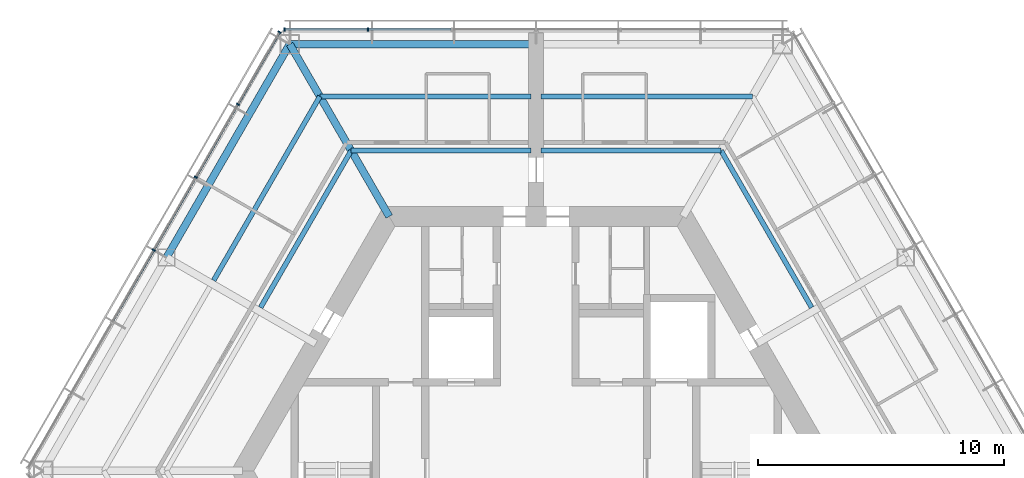
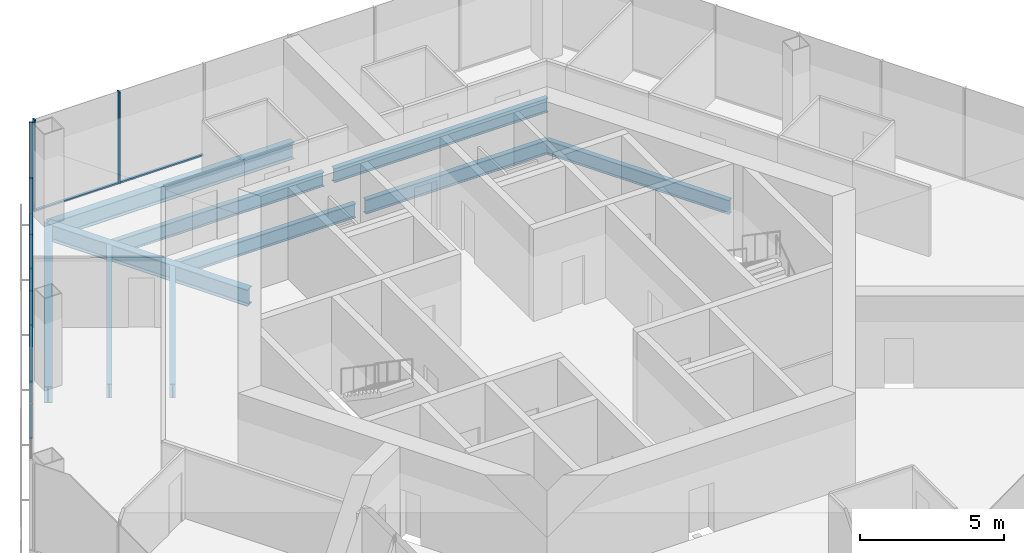
# One storey, part 6 of 15: 12 members, 10 beams, 2 elements without a shape of their own.
"""IFC4 building model written with IfcOpenShell, lengths in metres."""

import ifcopenshell
import ifcopenshell.guid

model = None  # the IFC model being written
_history = None  # IfcOwnerHistory: only IFC2X3 demands one
_inside = {}  # id of a spatial element -> (the spatial element, [elements in it])
_under = {}  # id of a project, library or spatial element -> (it, [spatial elements below it])
_declared = {}  # id of a project -> (the project, [libraries it declares])
_typed = {}  # id of a type object -> (the type object, [elements of that type])
_made_of = {}  # id of a material, layer set ... -> (it, [elements and type objects made of it])


def new_model(schema):
    """Start an empty IFC model of exactly this schema.

    Asked for "IFC4X3", IfcOpenShell would pick the latest addendum, in which some entities
    have other attributes; the version numbers below select the first issue.
    IFC2X3 requires an IfcOwnerHistory on every rooted entity: one is made here for all.
    """
    global model, _history
    if schema == "IFC4X3":
        model = ifcopenshell.file(schema_version=(4, 3, 0, 0))
    else:
        model = ifcopenshell.file(schema=schema)
    _inside.clear()
    _under.clear()
    _declared.clear()
    _typed.clear()
    _made_of.clear()
    _history = None
    if model.schema == "IFC2X3":
        org = make("IfcOrganization", Name="unknown")
        user = make(
            "IfcPersonAndOrganization",
            ThePerson=make("IfcPerson", FamilyName="unknown"),
            TheOrganization=org,
        )
        app = make(
            "IfcApplication",
            ApplicationDeveloper=org,
            Version="unknown",
            ApplicationFullName="unknown",
            ApplicationIdentifier="unknown",
        )
        _history = make(
            "IfcOwnerHistory",
            OwningUser=user,
            OwningApplication=app,
            ChangeAction="ADDED",
            CreationDate=0,
        )
    return model


def make(cls, **values):
    """One entity of the class cls with the attributes given. An attribute that is None is left unset."""
    return model.create_entity(
        cls, **{name: value for name, value in values.items() if value is not None}
    )


def rooted(cls, **values):
    """An entity with a GlobalId (a new one), such as an element, a storey or a relation."""
    return make(cls, GlobalId=ifcopenshell.guid.new(), OwnerHistory=_history, **values)


def si_unit(unit_type, name, prefix=None):
    """IfcSIUnit, for example si_unit("LENGTHUNIT", "METRE", prefix="MILLI")."""
    return make("IfcSIUnit", UnitType=unit_type, Prefix=prefix, Name=name)


def assignment(units):
    """IfcUnitAssignment: the units of a project."""
    return None if units is None else make("IfcUnitAssignment", Units=units)


def point(xyz):
    """IfcCartesianPoint."""
    return None if xyz is None else make("IfcCartesianPoint", Coordinates=xyz)


def direction(xyz):
    """IfcDirection."""
    return None if xyz is None else make("IfcDirection", DirectionRatios=xyz)


def frame(location, z_axis=None, x_axis=None):
    """IfcAxis2Placement3D, a coordinate frame: its origin and axes. An axis left out is left unset."""
    return make(
        "IfcAxis2Placement3D",
        Location=point(location),
        Axis=direction(z_axis),
        RefDirection=direction(x_axis),
    )


def frame_2d(location, x_axis=None):
    """IfcAxis2Placement2D, a coordinate frame in the plane: its origin and x axis."""
    return make(
        "IfcAxis2Placement2D", Location=point(location), RefDirection=direction(x_axis)
    )


def origin():
    """The frame at (0, 0, 0) with its axes left unset."""
    return frame((0.0, 0.0, 0.0))


def origin_2d():
    """The frame at (0, 0) in the plane with its x axis left unset."""
    return frame_2d((0.0, 0.0))


def place(relative_to, where):
    """IfcLocalPlacement: puts the frame where relative to a parent placement (None: the world)."""
    return make(
        "IfcLocalPlacement", PlacementRelTo=relative_to, RelativePlacement=where
    )


def context(
    kind, dimensions, precision=None, world=None, true_north=None, identifier=None
):
    """IfcGeometricRepresentationContext, for example the 3D "Model" context."""
    return make(
        "IfcGeometricRepresentationContext",
        ContextIdentifier=identifier,
        ContextType=kind,
        CoordinateSpaceDimension=dimensions,
        Precision=precision,
        WorldCoordinateSystem=world,
        TrueNorth=true_north,
    )


def subcontext(parent, identifier, kind, view, scale=None):
    """IfcGeometricRepresentationSubContext, for example "Body" below "Model"."""
    return make(
        "IfcGeometricRepresentationSubContext",
        ContextIdentifier=identifier,
        ContextType=kind,
        ParentContext=parent,
        TargetScale=scale,
        TargetView=view,
    )


def project(units=None, contexts=None):
    """IfcProject with its units and contexts."""
    return rooted(
        "IfcProject",
        Name="project",
        RepresentationContexts=contexts,
        UnitsInContext=assignment(units),
    )


def spatial(cls, under=None, at=None, **own):
    """A site, building, storey or space (cls), placed at a placement, below another one or the project."""
    s = rooted(cls, ObjectPlacement=at, **own)
    if under is not None:
        _under.setdefault(under.id(), (under, []))[1].append(s)
    return s


def profile(cls, at=None, kind="AREA", **sizes):
    """A parametric profile (cls). Its sizes go by their IFC names, for example OverallWidth=200.0."""
    return make(cls, ProfileType=kind, Position=at, **sizes)


def rectangle(**sizes):
    """IfcRectangleProfileDef."""
    return profile("IfcRectangleProfileDef", **sizes)


def i_section(**sizes):
    """IfcIShapeProfileDef."""
    return profile("IfcIShapeProfileDef", **sizes)


def extrude(swept, where, along, depth):
    """IfcExtrudedAreaSolid: the profile swept, set in the frame where, extruded along a direction by depth."""
    return make(
        "IfcExtrudedAreaSolid",
        SweptArea=swept,
        Position=where,
        ExtrudedDirection=direction(along),
        Depth=depth,
    )


def shape(context_of_items, identifier, shape_type, items):
    """IfcShapeRepresentation: the items that make up one representation, for example the "Body"."""
    return make(
        "IfcShapeRepresentation",
        ContextOfItems=context_of_items,
        RepresentationIdentifier=identifier,
        RepresentationType=shape_type,
        Items=items,
    )


def material(Name=None, Category=None):
    """IfcMaterial."""
    return make("IfcMaterial", Name=Name, Category=Category)


def material_profile(
    of_material, cross_section, Name=None, Category=None, Priority=None
):
    """IfcMaterialProfile: a cross section and its material."""
    return make(
        "IfcMaterialProfile",
        Name=Name,
        Material=of_material,
        Profile=cross_section,
        Priority=Priority,
        Category=Category,
    )


def profile_set(profiles, Name=None, composite=None):
    """IfcMaterialProfileSet."""
    return make(
        "IfcMaterialProfileSet",
        Name=Name,
        MaterialProfiles=profiles,
        CompositeProfile=composite,
    )


def made_of(thing, what):
    """Note that an element or type object is made of a material, layer set ...; save() writes the relation."""
    if what is not None:
        _made_of.setdefault(what.id(), (what, []))[1].append(thing)
    return thing


def type_object(cls, material=None, **own):
    """A type object (cls), such as IfcWallType, which elements share."""
    return made_of(rooted(cls, **own), material)


def element(
    cls,
    number,
    at=None,
    inside=None,
    cuts=None,
    type_object=None,
    material=None,
    context=None,
    identifier="Body",
    shape_type=None,
    held_by="IfcProductDefinitionShape",
    body=None,
    shapes=None,
    **own,
):
    """One element of the class cls, such as IfcWall. Its Tag is "e" and its number.

    at: its placement. inside: the storey or other place that contains it. cuts: it is an
    opening in that element (IfcRelVoidsElement). A single representation is given by context,
    identifier, shape_type and body (its items); several are given by shapes. held_by: the class
    of the entity that holds the representations. save() writes the other relations.
    """
    e = rooted(cls, Tag="e%d" % number, ObjectPlacement=at, **own)
    if body is not None:
        shapes = [shape(context, identifier, shape_type, body)]
    if shapes is not None:
        e.Representation = make(held_by, Representations=shapes)
    if inside is not None:
        _inside.setdefault(inside.id(), (inside, []))[1].append(e)
    if cuts is not None:
        rooted(
            "IfcRelVoidsElement", RelatingBuildingElement=cuts, RelatedOpeningElement=e
        )
    if type_object is not None:
        _typed.setdefault(type_object.id(), (type_object, []))[1].append(e)
    return made_of(e, material)


def aggregate(whole, parts):
    """IfcRelAggregates: a whole, such as a stair, and the parts it consists of."""
    return rooted("IfcRelAggregates", RelatingObject=whole, RelatedObjects=parts)


def save(model, path):
    """Write the relations noted so far, then the file.

    IfcRelAggregates (storeys below a building ...), IfcRelContainedInSpatialStructure (elements
    in a storey), IfcRelDefinesByType, IfcRelAssociatesMaterial and IfcRelDeclares: one each for
    every whole, place, type object, material and project.
    """
    for whole, parts in _under.values():
        aggregate(whole, parts)
    for where, things in _inside.values():
        rooted(
            "IfcRelContainedInSpatialStructure",
            RelatedElements=things,
            RelatingStructure=where,
        )
    for kind, things in _typed.values():
        rooted("IfcRelDefinesByType", RelatedObjects=things, RelatingType=kind)
    for what, things in _made_of.values():
        rooted("IfcRelAssociatesMaterial", RelatedObjects=things, RelatingMaterial=what)
    for by, libraries in _declared.values():
        rooted("IfcRelDeclares", RelatingContext=by, RelatedDefinitions=libraries)
    model.write(path)


model = new_model("IFC4")

# Units and contexts
model_context = context("Model", 3, precision=1e-05, world=origin(), true_north=direction((0.0, 1.0)))
body_context = subcontext(model_context, "Body", "Model", "MODEL_VIEW")
ifc_project = project(units=[si_unit("LENGTHUNIT", "METRE"), si_unit("AREAUNIT", "SQUARE_METRE"), si_unit("VOLUMEUNIT", "CUBIC_METRE"), si_unit("PLANEANGLEUNIT", "RADIAN"), si_unit("MASSUNIT", "GRAM", prefix="KILO")], contexts=[model_context])

# Site, building, storey
site_placement = place(None, origin())
site = spatial("IfcSite", under=ifc_project, at=site_placement, CompositionType="ELEMENT")
building_placement = place(site_placement, origin())
building = spatial("IfcBuilding", under=site, at=building_placement, Name="Kasaneha Research Tower", CompositionType="ELEMENT")
storey_placement = place(building_placement, frame((0.0, 0.0, 240.10009765625)))
storey = spatial("IfcBuildingStorey", under=building, at=storey_placement, Name="L60", CompositionType="ELEMENT", Elevation=240.10009765625)

# Beams
ifc_material_1 = material(Name="Steel SN490B", Category="steel")
ifc_material_profile_1 = material_profile(ifc_material_1, i_section(OverallWidth=0.199951171875, OverallDepth=0.60009765625, WebThickness=0.010986328125, FlangeThickness=0.01708984375, FilletRadius=0.012939453125, at=origin_2d()), Name="H-600x200x11x17")
ifc_profile_set_1 = profile_set([ifc_material_profile_1], Name="Steel SN490B")
beam_type_1 = type_object("IfcBeamType", Name="B1-3 secondary beam H-600x200x11x17", PredefinedType="JOIST", material=ifc_profile_set_1)
beam_1_placement = place(storey_placement, frame((7.505615234375, 13.0, -0.4501953125), z_axis=(0.499994443168, -0.866028611999, 0.0), x_axis=(0.866028611999, 0.499994443168, 0.0)))
element("IfcBeam", 1, at=beam_1_placement, inside=storey, type_object=beam_type_1, Name="Secondary beam RS030R1 L60", PredefinedType="JOIST", context=body_context, shape_type="SweptSolid", body=[
    extrude(i_section(OverallWidth=0.199951171875, OverallDepth=0.60009765625, WebThickness=0.010986328125, FlangeThickness=0.01708984375, FilletRadius=0.012939453125, at=origin_2d()), origin(), (0.0, 0.0, 1.0), 7.35546875),
])
beam_2_placement = place(storey_placement, frame((7.505615234375, 13.0, -0.4501953125), z_axis=(-1.0, 0.0, 0.0), x_axis=(0.0, -1.0, 0.0)))
element("IfcBeam", 2, at=beam_2_placement, inside=storey, type_object=beam_type_1, Name="Secondary beam RS090L1 L60", PredefinedType="JOIST", context=body_context, shape_type="SweptSolid", body=[
    extrude(i_section(OverallWidth=0.199951171875, OverallDepth=0.60009765625, WebThickness=0.010986328125, FlangeThickness=0.01708984375, FilletRadius=0.012939453125, at=origin_2d()), origin(), (0.0, 0.0, 1.0), 7.3056640625),
])
beam_3_placement = place(storey_placement, frame((8.775634765625, 15.199951171875, -0.4501953125), z_axis=(-1.0, 0.0, 0.0), x_axis=(0.0, -1.0, 0.0)))
element("IfcBeam", 3, at=beam_3_placement, inside=storey, type_object=beam_type_1, Name="Secondary beam RS090L2 L60", PredefinedType="JOIST", context=body_context, shape_type="SweptSolid", body=[
    extrude(i_section(OverallWidth=0.199951171875, OverallDepth=0.60009765625, WebThickness=0.010986328125, FlangeThickness=0.01708984375, FilletRadius=0.012939453125, at=origin_2d()), origin(), (0.0, 0.0, 1.0), 8.57568359375),
])
beam_4_placement = place(storey_placement, frame((-7.505615234375, 13.0, -0.4501953125), z_axis=(1.0, 0.0, 0.0), x_axis=(0.0, 1.0, 0.0)))
element("IfcBeam", 4, at=beam_4_placement, inside=storey, type_object=beam_type_1, Name="Secondary beam RS090R1 L60", PredefinedType="JOIST", context=body_context, shape_type="SweptSolid", body=[
    extrude(i_section(OverallWidth=0.199951171875, OverallDepth=0.60009765625, WebThickness=0.010986328125, FlangeThickness=0.01708984375, FilletRadius=0.012939453125, at=origin_2d()), origin(), (0.0, 0.0, 1.0), 7.3056640625),
])
beam_5_placement = place(storey_placement, frame((-8.775634765625, 15.199951171875, -0.4501953125), z_axis=(1.0, 0.0, 0.0), x_axis=(0.0, 1.0, 0.0)))
element("IfcBeam", 5, at=beam_5_placement, inside=storey, type_object=beam_type_1, Name="Secondary beam RS090R2 L60", PredefinedType="JOIST", context=body_context, shape_type="SweptSolid", body=[
    extrude(i_section(OverallWidth=0.199951171875, OverallDepth=0.60009765625, WebThickness=0.010986328125, FlangeThickness=0.01708984375, FilletRadius=0.012939453125, at=origin_2d()), origin(), (0.0, 0.0, 1.0), 8.57568359375),
])
beam_6_placement = place(storey_placement, frame((-7.505615234375, 13.0, -0.4501953125), z_axis=(-0.499994443168, -0.866028611999, 0.0), x_axis=(0.866028611999, -0.499994443168, 0.0)))
element("IfcBeam", 6, at=beam_6_placement, inside=storey, type_object=beam_type_1, Name="Secondary beam RS150L1 L60", PredefinedType="JOIST", context=body_context, shape_type="SweptSolid", body=[
    extrude(i_section(OverallWidth=0.199951171875, OverallDepth=0.60009765625, WebThickness=0.010986328125, FlangeThickness=0.01708984375, FilletRadius=0.012939453125, at=origin_2d()), origin(), (0.0, 0.0, 1.0), 7.35546875),
])
beam_7_placement = place(storey_placement, frame((-8.775634765625, 15.199951171875, -0.4501953125), z_axis=(-0.500017275495, -0.866015429543, 0.0), x_axis=(0.866015429543, -0.500017275495, 0.0)))
element("IfcBeam", 7, at=beam_7_placement, inside=storey, type_object=beam_type_1, Name="Secondary beam RS150L2 L60", PredefinedType="JOIST", context=body_context, shape_type="SweptSolid", body=[
    extrude(i_section(OverallWidth=0.199951171875, OverallDepth=0.60009765625, WebThickness=0.010986328125, FlangeThickness=0.01708984375, FilletRadius=0.012939453125, at=origin_2d()), origin(), (0.0, 0.0, 1.0), 8.625732421875),
])

# Curtain wall, members
ifc_material_2 = material(Name="Glass and aluminium", Category="aluminium")
curtain_wall_type = type_object("IfcCurtainWallType", Name="High-rise office curtain wall", PredefinedType="USERDEFINED", material=ifc_material_2)
curtain_wall_1_placement = place(storey_placement, origin())
curtain_wall_1 = element("IfcCurtainWall", 8, at=curtain_wall_1_placement, inside=storey, type_object=curtain_wall_type, Name="CW-O3 L60 run 02a", ObjectType="UNITISED CURTAIN WALL", PredefinedType="USERDEFINED")
ifc_material_3 = material(Name="Aluminium 6063-T6", Category="aluminium")
ifc_material_profile_2 = material_profile(ifc_material_3, rectangle(XDim=0.06005859375, YDim=0.139892578125, at=origin_2d()), Name="CW-O3 mullion 60x140")
ifc_profile_set_2 = profile_set([ifc_material_profile_2], Name="Aluminium 6063-T6")
member_type_1 = type_object("IfcMemberType", Name="CW-O3 mullion", PredefinedType="MULLION", material=ifc_profile_set_2)
member_1_placement = place(storey_placement, frame((-6.8310546875, 17.92041015625, 0.0), z_axis=(0.0, 0.0, 1.0), x_axis=(-1.0, 0.0, 0.0)))
member_1 = element("IfcMember", 9, at=member_1_placement, type_object=member_type_1, Name="CW-O3 mullion 6", PredefinedType="MULLION", context=body_context, shape_type="SweptSolid", body=[
    extrude(rectangle(XDim=0.06005859375, YDim=0.139892578125, at=origin_2d()), origin(), (0.0, 0.0, 1.0), 3.89990234375),
])
member_2_placement = place(storey_placement, frame((-10.21630859375, 17.92041015625, 0.0), z_axis=(0.0, 0.0, 1.0), x_axis=(-1.0, 0.0, 0.0)))
member_2 = element("IfcMember", 10, at=member_2_placement, type_object=member_type_1, Name="CW-O3 mullion 7", PredefinedType="MULLION", context=body_context, shape_type="SweptSolid", body=[
    extrude(rectangle(XDim=0.06005859375, YDim=0.139892578125, at=origin_2d()), origin(), (0.0, 0.0, 1.0), 3.89990234375),
])

curtain_wall_2_placement = place(storey_placement, origin())
curtain_wall_2 = element("IfcCurtainWall", 11, at=curtain_wall_2_placement, inside=storey, type_object=curtain_wall_type, Name="CW-O3 L60 run 03a", ObjectType="UNITISED CURTAIN WALL", PredefinedType="USERDEFINED")
member_3_placement = place(storey_placement, frame((-10.411376953125, 17.807861328125, 0.0), z_axis=(0.0, 0.0, 1.0), x_axis=(-0.499999995722, -0.866025406254, 0.0)))
member_3 = element("IfcMember", 12, at=member_3_placement, type_object=member_type_1, Name="CW-O3 mullion 1", PredefinedType="MULLION", context=body_context, shape_type="SweptSolid", body=[
    extrude(rectangle(XDim=0.06005859375, YDim=0.139892578125, at=origin_2d()), origin(), (0.0, 0.0, 1.0), 3.89990234375),
])
member_4_placement = place(storey_placement, frame((-12.104248046875, 14.8759765625, 0.0), z_axis=(0.0, 0.0, 1.0), x_axis=(-0.499999995722, -0.866025406254, 0.0)))
member_4 = element("IfcMember", 13, at=member_4_placement, type_object=member_type_1, Name="CW-O3 mullion 2", PredefinedType="MULLION", context=body_context, shape_type="SweptSolid", body=[
    extrude(rectangle(XDim=0.06005859375, YDim=0.139892578125, at=origin_2d()), origin(), (0.0, 0.0, 1.0), 3.89990234375),
])
member_5_placement = place(storey_placement, frame((-13.811767578125, 11.918212890625, 0.0), z_axis=(0.0, 0.0, 1.0), x_axis=(-0.499999995722, -0.866025406254, 0.0)))
member_5 = element("IfcMember", 14, at=member_5_placement, type_object=member_type_1, Name="CW-O3 mullion 3", PredefinedType="MULLION", context=body_context, shape_type="SweptSolid", body=[
    extrude(rectangle(XDim=0.06005859375, YDim=0.139892578125, at=origin_2d()), origin(), (0.0, 0.0, 1.0), 3.89990234375),
])
member_6_placement = place(storey_placement, frame((-15.51953125, 8.960205078125, 0.0), z_axis=(0.0, 0.0, 1.0), x_axis=(-0.499999995722, -0.866025406254, 0.0)))
member_6 = element("IfcMember", 15, at=member_6_placement, type_object=member_type_1, Name="CW-O3 mullion 4", PredefinedType="MULLION", context=body_context, shape_type="SweptSolid", body=[
    extrude(rectangle(XDim=0.06005859375, YDim=0.139892578125, at=origin_2d()), origin(), (0.0, 0.0, 1.0), 3.89990234375),
])

# Member
ifc_material_4 = material(Name="Aluminium 6063-T6", Category="aluminium")
ifc_material_profile_3 = material_profile(ifc_material_4, rectangle(XDim=0.10009765625, YDim=0.06005859375, at=origin_2d()), Name="CW-O3 transom 100x60")
ifc_profile_set_3 = profile_set([ifc_material_profile_3], Name="Aluminium 6063-T6")
member_type_2 = type_object("IfcMemberType", Name="CW-O3 transom", PredefinedType="USERDEFINED", material=ifc_profile_set_3)
member_7_placement = place(storey_placement, frame((-3.445556640625, 17.92041015625, 0.02978515625), z_axis=(-1.0, 0.0, 0.0), x_axis=(0.0, -1.0, 0.0)))
member_7 = element("IfcMember", 16, at=member_7_placement, type_object=member_type_2, Name="CW-O3 transom 5", ObjectType="TRANSOM", PredefinedType="USERDEFINED", context=body_context, shape_type="SweptSolid", body=[
    extrude(rectangle(XDim=0.10009765625, YDim=0.06005859375, at=origin_2d()), origin(), (0.0, 0.0, 1.0), 3.35546875),
])

member_8_placement = place(storey_placement, frame((-6.86083984375, 17.92041015625, 0.02978515625), z_axis=(-1.0, 0.0, 0.0), x_axis=(0.0, -1.0, 0.0)))
member_8 = element("IfcMember", 17, at=member_8_placement, type_object=member_type_2, Name="CW-O3 transom 6", ObjectType="TRANSOM", PredefinedType="USERDEFINED", context=body_context, shape_type="SweptSolid", body=[
    extrude(rectangle(XDim=0.10009765625, YDim=0.06005859375, at=origin_2d()), origin(), (0.0, 0.0, 1.0), 3.32568359375),
])

aggregate(curtain_wall_1, [member_1, member_2, member_7, member_8])

member_9_placement = place(storey_placement, frame((-10.426513671875, 17.781982421875, 0.02978515625), z_axis=(-0.49997666526, -0.866038875684, 0.0), x_axis=(0.866038875684, -0.49997666526, 0.0)))
member_9 = element("IfcMember", 18, at=member_9_placement, type_object=member_type_2, Name="CW-O3 transom 1", ObjectType="TRANSOM", PredefinedType="USERDEFINED", context=body_context, shape_type="SweptSolid", body=[
    extrude(rectangle(XDim=0.10009765625, YDim=0.06005859375, at=origin_2d()), origin(), (0.0, 0.0, 1.0), 3.325439453125),
])

member_10_placement = place(storey_placement, frame((-12.119140625, 14.85009765625, 0.02978515625), z_axis=(-0.499989072476, -0.866031712701, 0.0), x_axis=(0.866031712701, -0.499989072476, 0.0)))
member_10 = element("IfcMember", 19, at=member_10_placement, type_object=member_type_2, Name="CW-O3 transom 2", ObjectType="TRANSOM", PredefinedType="USERDEFINED", context=body_context, shape_type="SweptSolid", body=[
    extrude(rectangle(XDim=0.10009765625, YDim=0.06005859375, at=origin_2d()), origin(), (0.0, 0.0, 1.0), 3.35546875),
])

member_11_placement = place(storey_placement, frame((-13.826904296875, 11.89208984375, 0.02978515625), z_axis=(-0.500020578564, -0.866013522419, 0.0), x_axis=(0.866013522419, -0.500020578564, 0.0)))
member_11 = element("IfcMember", 20, at=member_11_placement, type_object=member_type_2, Name="CW-O3 transom 3", ObjectType="TRANSOM", PredefinedType="USERDEFINED", context=body_context, shape_type="SweptSolid", body=[
    extrude(rectangle(XDim=0.10009765625, YDim=0.06005859375, at=origin_2d()), origin(), (0.0, 0.0, 1.0), 3.355224609375),
])

member_12_placement = place(storey_placement, frame((-15.53466796875, 8.934326171875, 0.02978515625), z_axis=(-0.499989072476, -0.866031712701, 0.0), x_axis=(0.866031712701, -0.499989072476, 0.0)))
member_12 = element("IfcMember", 21, at=member_12_placement, type_object=member_type_2, Name="CW-O3 transom 4", ObjectType="TRANSOM", PredefinedType="USERDEFINED", context=body_context, shape_type="SweptSolid", body=[
    extrude(rectangle(XDim=0.10009765625, YDim=0.06005859375, at=origin_2d()), origin(), (0.0, 0.0, 1.0), 3.35546875),
])

aggregate(curtain_wall_2, [member_3, member_4, member_5, member_6, member_9, member_10, member_11, member_12])

# Beams
ifc_material_5 = material(Name="Steel SN490B", Category="steel")
ifc_material_profile_4 = material_profile(ifc_material_5, i_section(OverallWidth=0.300048828125, OverallDepth=0.699951171875, WebThickness=0.012939453125, FlangeThickness=0.02392578125, FilletRadius=0.01806640625, at=origin_2d()), Name="H-700x300x13x24")
ifc_profile_set_4 = profile_set([ifc_material_profile_4], Name="Steel SN490B")
beam_type_2 = type_object("IfcBeamType", Name="G1-3 radial girder H-700x300x13x24", PredefinedType="BEAM", material=ifc_profile_set_4)
beam_8_placement = place(storey_placement, frame((-5.961181640625, 10.324951171875, -0.5), z_axis=(-0.49999105496, 0.866030568144, 0.0), x_axis=(-0.866030568144, -0.49999105496, 0.0)))
element("IfcBeam", 22, at=beam_8_placement, inside=storey, type_object=beam_type_2, Name="Radial girder RV120 L60", PredefinedType="BEAM", context=body_context, shape_type="SweptSolid", body=[
    extrude(i_section(OverallWidth=0.300048828125, OverallDepth=0.699951171875, WebThickness=0.012939453125, FlangeThickness=0.02392578125, FilletRadius=0.01806640625, at=origin_2d()), origin(), (0.0, 0.0, 1.0), 8.077880859375),
])
ifc_material_6 = material(Name="Steel SN490B", Category="steel")
ifc_material_profile_5 = material_profile(ifc_material_6, i_section(OverallWidth=0.300048828125, OverallDepth=0.69189453125, WebThickness=0.012939453125, FlangeThickness=0.02001953125, FilletRadius=0.01806640625, at=origin_2d()), Name="H-692x300x13x20")
ifc_profile_set_5 = profile_set([ifc_material_profile_5], Name="Steel SN490B")
beam_type_3 = type_object("IfcBeamType", Name="G3-3 plate edge girder H-692x300x13x20", PredefinedType="BEAM", material=ifc_profile_set_5)
beam_9_placement = place(storey_placement, frame((-10.0, 17.320556640625, -0.49609375), z_axis=(1.0, 0.0, 0.0), x_axis=(0.0, 1.0, 0.0)))
element("IfcBeam", 23, at=beam_9_placement, inside=storey, type_object=beam_type_3, Name="Plate edge girder PEAN L60", PredefinedType="BEAM", context=body_context, shape_type="SweptSolid", body=[
    extrude(i_section(OverallWidth=0.300048828125, OverallDepth=0.69189453125, WebThickness=0.012939453125, FlangeThickness=0.02001953125, FilletRadius=0.01806640625, at=origin_2d()), origin(), (0.0, 0.0, 1.0), 9.800048828125),
])
ifc_material_7 = material(Name="Steel SN490B", Category="steel")
ifc_material_profile_6 = material_profile(ifc_material_7, i_section(OverallWidth=0.300048828125, OverallDepth=0.69189453125, WebThickness=0.012939453125, FlangeThickness=0.02001953125, FilletRadius=0.01806640625, at=origin_2d()), Name="H-692x300x13x20")
ifc_profile_set_6 = profile_set([ifc_material_profile_6], Name="Steel SN490B")
beam_type_4 = type_object("IfcBeamType", Name="SB1-3 spandrel beam H-692x300x13x20", PredefinedType="SPANDREL", material=ifc_profile_set_6)
beam_10_placement = place(storey_placement, frame((-10.0, 17.320556640625, -0.49609375), z_axis=(-0.499993662806, -0.866029062534, 0.0), x_axis=(0.866029062534, -0.499993662806, 0.0)))
element("IfcBeam", 24, at=beam_10_placement, inside=storey, type_object=beam_type_4, Name="Spandrel beam SR150L L60", PredefinedType="SPANDREL", context=body_context, shape_type="SweptSolid", body=[
    extrude(i_section(OverallWidth=0.300048828125, OverallDepth=0.69189453125, WebThickness=0.012939453125, FlangeThickness=0.02001953125, FilletRadius=0.01806640625, at=origin_2d()), origin(), (0.0, 0.0, 1.0), 10.000244140625),
])

save(model, "model.ifc")
